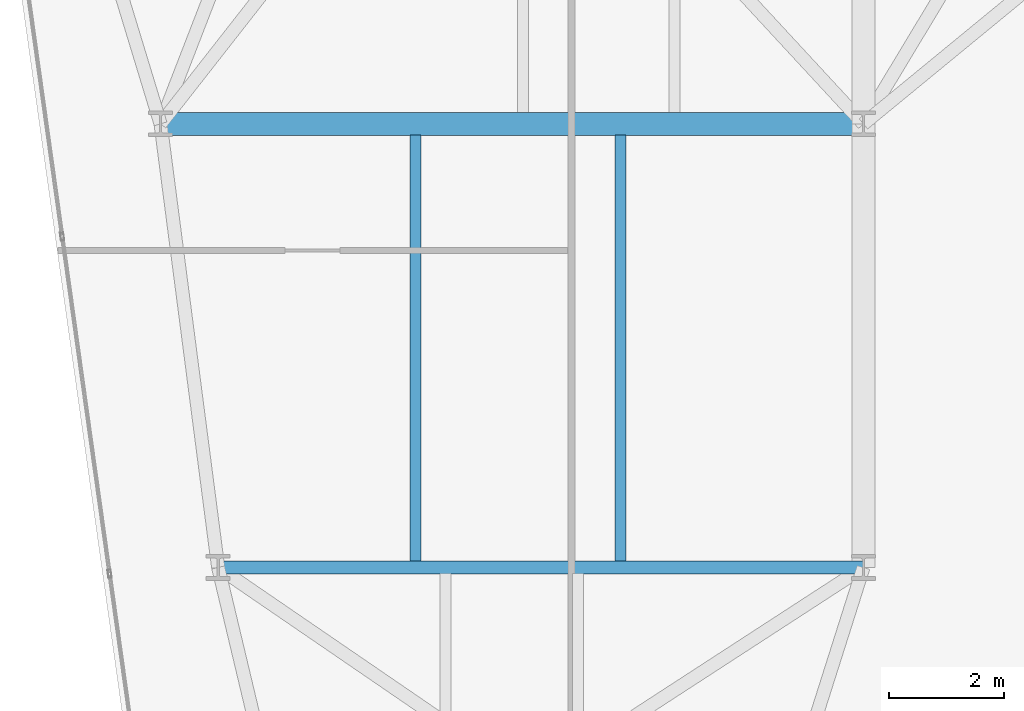
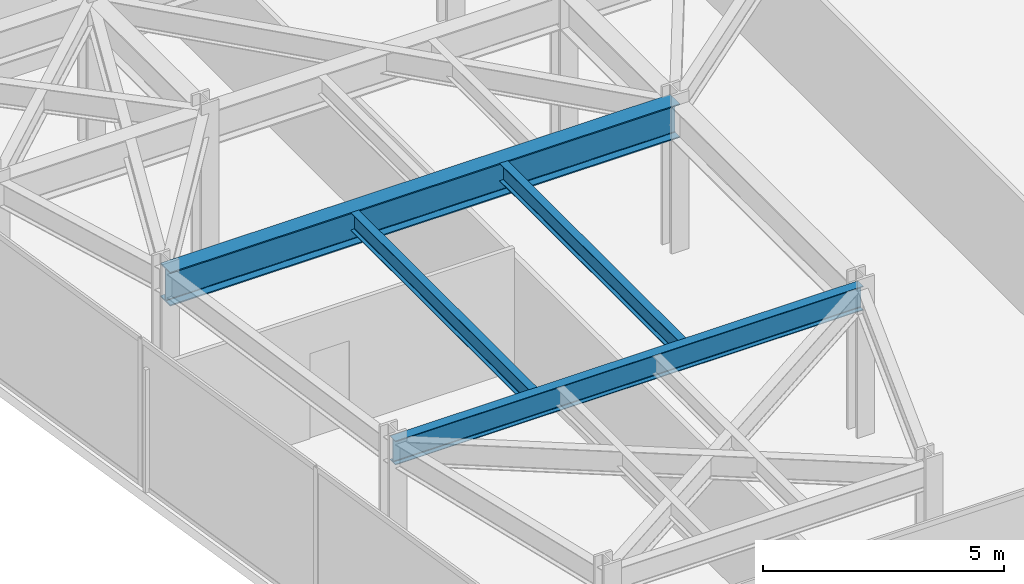
# One storey, part 6 of 26: 4 beams.
"""IFC4 building model written with IfcOpenShell, lengths in metres."""

from ifc_helpers import new_model, si_unit, direction, frame, origin, origin_2d, place, context, subcontext, project, spatial, i_section, extrude, material, material_profile, profile_set, type_object, element, save


model = new_model("IFC4")

# Units and contexts
model_context = context("Model", 3, precision=1e-05, world=origin(), true_north=direction((0.0, 1.0)))
body_context = subcontext(model_context, "Body", "Model", "MODEL_VIEW")
ifc_project = project(units=[si_unit("LENGTHUNIT", "METRE"), si_unit("AREAUNIT", "SQUARE_METRE"), si_unit("VOLUMEUNIT", "CUBIC_METRE"), si_unit("PLANEANGLEUNIT", "RADIAN"), si_unit("MASSUNIT", "GRAM", prefix="KILO")], contexts=[model_context])

# Site, building, storey
site_placement = place(None, origin())
site = spatial("IfcSite", under=ifc_project, at=site_placement, CompositionType="ELEMENT")
building_placement = place(site_placement, origin())
building = spatial("IfcBuilding", under=site, at=building_placement, Name="Kravanh Interchange Tower", CompositionType="ELEMENT")
storey_placement = place(building_placement, frame((0.0, 0.0, 152.0)))
storey = spatial("IfcBuildingStorey", under=building, at=storey_placement, Name="L36", CompositionType="ELEMENT", Elevation=152.0)

# Beams
ifc_material_1 = material(Name="Structural Steel S355", Category="steel")
ifc_material_profile_1 = material_profile(ifc_material_1, i_section(OverallWidth=0.39990234375, OverallDepth=0.85595703125, WebThickness=0.018310546875, FlangeThickness=0.029296875, FilletRadius=0.02490234375, at=origin_2d()), Name="W33X201")
ifc_profile_set_1 = profile_set([ifc_material_profile_1], Name="Structural Steel S355")
beam_type_1 = type_object("IfcBeamType", Name="Floor Beam W33X201 Structural Steel S355", PredefinedType="BEAM", material=ifc_profile_set_1)
beam_1_placement = place(storey_placement, frame((15.0, 22.199951171875, 3.2919921875), z_axis=(1.0, 0.0, 0.0), x_axis=(0.0, 1.0, 0.0)))
element("IfcBeam", 1, at=beam_1_placement, inside=storey, type_object=beam_type_1, Name="L36 Primary Floor Girder 108", PredefinedType="BEAM", context=body_context, shape_type="SweptSolid", body=[
    extrude(i_section(OverallWidth=0.39990234375, OverallDepth=0.85595703125, WebThickness=0.018310546875, FlangeThickness=0.029296875, FilletRadius=0.02490234375, at=origin_2d()), origin(), (0.0, 0.0, 1.0), 12.199951171875),
])
ifc_material_2 = material(Name="Structural Steel S355", Category="steel")
ifc_material_profile_2 = material_profile(ifc_material_2, i_section(OverallWidth=0.18994140625, OverallDepth=0.45703125, WebThickness=0.009033203125, FlangeThickness=0.014404296875, FilletRadius=0.01806640625, at=origin_2d()), Name="W18X50")
ifc_profile_set_2 = profile_set([ifc_material_profile_2], Name="Structural Steel S355")
beam_type_2 = type_object("IfcBeamType", Name="Floor Joist W18X50 Structural Steel S355", PredefinedType="JOIST", material=ifc_profile_set_2)
for number, where, z_axis, x_axis, name in (
    (2, (19.422119140625, 14.60888671875, 3.491455078125), (0.0, 1.0, 0.0), (-1.0, 0.0, 0.0), "L36 Secondary Floor Joist 5"),
    (3, (22.986083984375, 14.60888671875, 3.491455078125), (0.0, 1.0, 0.0), (-1.0, 0.0, 0.0), "L36 Secondary Floor Joist 6"),
):
    element("IfcBeam", number, at=place(storey_placement, frame(where, z_axis=z_axis, x_axis=x_axis)), inside=storey, type_object=beam_type_2, Name=name, PredefinedType="JOIST", context=body_context, shape_type="SweptSolid", body=[
        extrude(i_section(OverallWidth=0.18994140625, OverallDepth=0.45703125, WebThickness=0.009033203125, FlangeThickness=0.014404296875, FilletRadius=0.01806640625, at=origin_2d()), origin(), (0.0, 0.0, 1.0), 7.39599609375),
    ])
ifc_material_3 = material(Name="Structural Steel S355", Category="steel")
ifc_material_profile_3 = material_profile(ifc_material_3, i_section(OverallWidth=0.22802734375, OverallDepth=0.60791015625, WebThickness=0.01123046875, FlangeThickness=0.017333984375, FilletRadius=0.02197265625, at=origin_2d()), Name="W24X76")
ifc_profile_set_3 = profile_set([ifc_material_profile_3], Name="Structural Steel S355")
beam_type_3 = type_object("IfcBeamType", Name="Floor Spandrel W24X76 Structural Steel S355", PredefinedType="SPANDREL", material=ifc_profile_set_3)
beam_2_placement = place(storey_placement, frame((16.0, 14.5, 3.416015625), z_axis=(1.0, 0.0, 0.0), x_axis=(0.0, 1.0, 0.0)))
element("IfcBeam", 4, at=beam_2_placement, inside=storey, type_object=beam_type_3, Name="L36 Perimeter Spandrel 101", PredefinedType="SPANDREL", context=body_context, shape_type="SweptSolid", body=[
    extrude(i_section(OverallWidth=0.22802734375, OverallDepth=0.60791015625, WebThickness=0.01123046875, FlangeThickness=0.017333984375, FilletRadius=0.02197265625, at=origin_2d()), origin(), (0.0, 0.0, 1.0), 11.199951171875),
])

save(model, "model.ifc")
